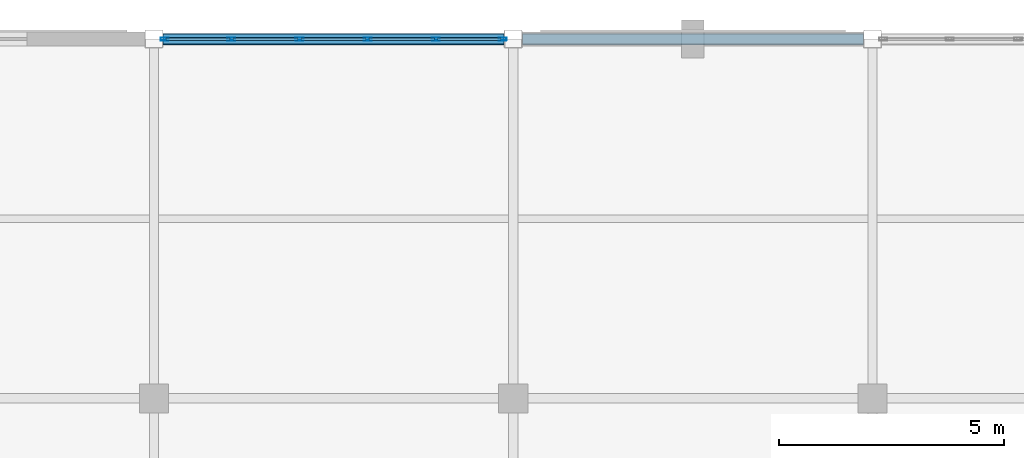
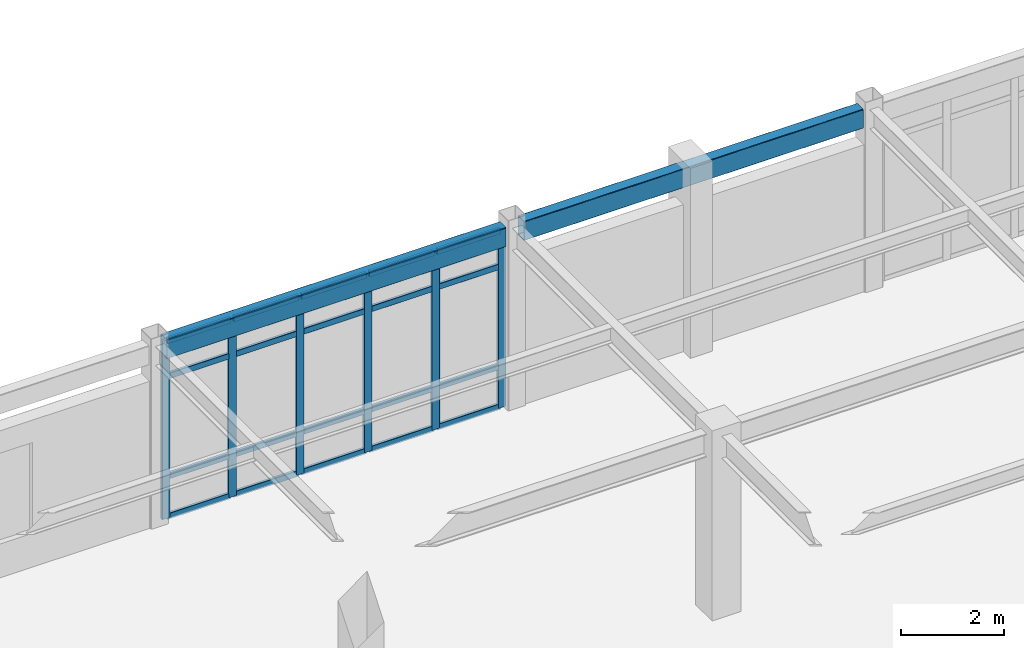
# One storey, part 53 of 111: 26 members, 2 beams, 1 element without a shape of its own.
"""IFC4 building model written with IfcOpenShell, lengths in metres."""

from ifc_helpers import new_model, si_unit, direction, frame, origin, origin_2d, place, context, subcontext, project, spatial, hollow_rectangle, extrude, material, material_profile, profile_set, type_object, element, aggregate, save


model = new_model("IFC4")

# Units and contexts
model_context = context("Model", 3, precision=1e-05, world=origin(), true_north=direction((0.0, 1.0)))
body_context = subcontext(model_context, "Body", "Model", "MODEL_VIEW")
ifc_project = project(units=[si_unit("LENGTHUNIT", "METRE"), si_unit("AREAUNIT", "SQUARE_METRE"), si_unit("VOLUMEUNIT", "CUBIC_METRE"), si_unit("PLANEANGLEUNIT", "RADIAN"), si_unit("MASSUNIT", "GRAM", prefix="KILO")], contexts=[model_context])

# Site, building, storey
site_placement = place(None, origin())
site = spatial("IfcSite", under=ifc_project, at=site_placement, CompositionType="ELEMENT")
building_placement = place(site_placement, origin())
building = spatial("IfcBuilding", under=site, at=building_placement, Name="Solmirada Galleria", CompositionType="ELEMENT")
storey_placement = place(building_placement, frame((0.0, 0.0, 10.39990234375)))
storey = spatial("IfcBuildingStorey", under=building, at=storey_placement, Name="L02", CompositionType="ELEMENT", Elevation=10.39990234375)

# Beams
ifc_material_1 = material(Name="Steel S355 / ASTM A500 Grade C", Category="steel")
ifc_material_profile_1 = material_profile(ifc_material_1, hollow_rectangle(XDim=0.25390625, YDim=0.45703125, WallThickness=0.01171875, InnerFilletRadius=0.01171875, OuterFilletRadius=0.023681640625, at=origin_2d()), Name="HSS18X10X1/2")
ifc_profile_set_1 = profile_set([ifc_material_profile_1], Name="Steel S355 / ASTM A500 Grade C")
beam_type = type_object("IfcBeamType", Name="BM-SPAND-W18", PredefinedType="SPANDREL", material=ifc_profile_set_1)
for number, where, z_axis, x_axis, name in (
    (1, (88.202880859375, 120.0, 4.071533203125), (1.0, 0.0, 0.0), (0.0, 1.0, 0.0), "Primary beam L03 X(88..96, 120)"),
    (2, (96.202880859375, 120.0, 4.071533203125), (1.0, 0.0, 0.0), (0.0, 1.0, 0.0), "Primary beam L03 X(96..104, 120)"),
):
    element("IfcBeam", number, at=place(storey_placement, frame(where, z_axis=z_axis, x_axis=x_axis)), inside=storey, type_object=beam_type, Name=name, PredefinedType="SPANDREL", context=body_context, shape_type="SweptSolid", body=[
        extrude(hollow_rectangle(XDim=0.25390625, YDim=0.45703125, WallThickness=0.01171875, InnerFilletRadius=0.01171875, OuterFilletRadius=0.023681640625, at=origin_2d()), origin(), (0.0, 0.0, 1.0), 7.59423828125),
    ])

# Curtain wall, members
ifc_material_2 = material(Name="Impact-resistant low-E double glazing", Category="glass")
curtain_wall_type = type_object("IfcCurtainWallType", Name="CW-FZ4-L02-B5-L076", PredefinedType="NOTDEFINED", material=ifc_material_2)
curtain_wall_placement = place(storey_placement, origin())
curtain_wall = element("IfcCurtainWall", 3, at=curtain_wall_placement, inside=storey, type_object=curtain_wall_type, Name="Terrace and arcade storefront CW-L02-094", PredefinedType="NOTDEFINED")
ifc_material_3 = material(Name="Anodised aluminium framing", Category="aluminium")
ifc_material_profile_2 = material_profile(ifc_material_3, hollow_rectangle(XDim=0.06494140625, YDim=0.179931640625, WallThickness=0.00390625, InnerFilletRadius=0.00390625, OuterFilletRadius=0.008056640625, at=origin_2d()), Name="ALU-MULL-180X65")
ifc_profile_set_2 = profile_set([ifc_material_profile_2], Name="Anodised aluminium framing")
member_type_1 = type_object("IfcMemberType", Name="CW-MULL-180", PredefinedType="MULLION", material=ifc_profile_set_2)
member_1_placement = place(storey_placement, frame((88.237548828125, 120.0, 0.0), z_axis=(0.0, 0.0, 1.0), x_axis=(0.0, 1.0, 0.0)))
member_1 = element("IfcMember", 4, at=member_1_placement, type_object=member_type_1, Name="CW23 mullion 1", PredefinedType="MULLION", context=body_context, shape_type="SweptSolid", body=[
    extrude(hollow_rectangle(XDim=0.06494140625, YDim=0.179931640625, WallThickness=0.00390625, InnerFilletRadius=0.00390625, OuterFilletRadius=0.008056640625, at=origin_2d()), origin(), (0.0, 0.0, 1.0), 4.22021484375),
])
member_2_placement = place(storey_placement, frame((89.722900390625, 120.0, 0.0), z_axis=(0.0, 0.0, 1.0), x_axis=(0.0, 1.0, 0.0)))
member_2 = element("IfcMember", 5, at=member_2_placement, type_object=member_type_1, Name="CW23 mullion 2", PredefinedType="MULLION", context=body_context, shape_type="SweptSolid", body=[
    extrude(hollow_rectangle(XDim=0.06494140625, YDim=0.179931640625, WallThickness=0.00390625, InnerFilletRadius=0.00390625, OuterFilletRadius=0.008056640625, at=origin_2d()), origin(), (0.0, 0.0, 1.0), 4.22021484375),
])
member_3_placement = place(storey_placement, frame((91.240966796875, 120.0, 0.0), z_axis=(0.0, 0.0, 1.0), x_axis=(0.0, 1.0, 0.0)))
member_3 = element("IfcMember", 6, at=member_3_placement, type_object=member_type_1, Name="CW23 mullion 3", PredefinedType="MULLION", context=body_context, shape_type="SweptSolid", body=[
    extrude(hollow_rectangle(XDim=0.06494140625, YDim=0.179931640625, WallThickness=0.00390625, InnerFilletRadius=0.00390625, OuterFilletRadius=0.008056640625, at=origin_2d()), origin(), (0.0, 0.0, 1.0), 4.22021484375),
])
member_4_placement = place(storey_placement, frame((92.759033203125, 120.0, 0.0), z_axis=(0.0, 0.0, 1.0), x_axis=(0.0, 1.0, 0.0)))
member_4 = element("IfcMember", 7, at=member_4_placement, type_object=member_type_1, Name="CW23 mullion 4", PredefinedType="MULLION", context=body_context, shape_type="SweptSolid", body=[
    extrude(hollow_rectangle(XDim=0.06494140625, YDim=0.179931640625, WallThickness=0.00390625, InnerFilletRadius=0.00390625, OuterFilletRadius=0.008056640625, at=origin_2d()), origin(), (0.0, 0.0, 1.0), 4.22021484375),
])
member_5_placement = place(storey_placement, frame((94.277099609375, 120.0, 0.0), z_axis=(0.0, 0.0, 1.0), x_axis=(0.0, 1.0, 0.0)))
member_5 = element("IfcMember", 8, at=member_5_placement, type_object=member_type_1, Name="CW23 mullion 5", PredefinedType="MULLION", context=body_context, shape_type="SweptSolid", body=[
    extrude(hollow_rectangle(XDim=0.06494140625, YDim=0.179931640625, WallThickness=0.00390625, InnerFilletRadius=0.00390625, OuterFilletRadius=0.008056640625, at=origin_2d()), origin(), (0.0, 0.0, 1.0), 4.22021484375),
])
member_6_placement = place(storey_placement, frame((95.762451171875, 120.0, 0.0), z_axis=(0.0, 0.0, 1.0), x_axis=(0.0, 1.0, 0.0)))
member_6 = element("IfcMember", 9, at=member_6_placement, type_object=member_type_1, Name="CW23 mullion 6", PredefinedType="MULLION", context=body_context, shape_type="SweptSolid", body=[
    extrude(hollow_rectangle(XDim=0.06494140625, YDim=0.179931640625, WallThickness=0.00390625, InnerFilletRadius=0.00390625, OuterFilletRadius=0.008056640625, at=origin_2d()), origin(), (0.0, 0.0, 1.0), 4.22021484375),
])
ifc_material_profile_3 = material_profile(ifc_material_3, hollow_rectangle(XDim=0.06494140625, YDim=0.139892578125, WallThickness=0.00341796875, InnerFilletRadius=0.00341796875, OuterFilletRadius=0.007080078125, at=origin_2d()), Name="ALU-TRAN-140X65")
ifc_profile_set_3 = profile_set([ifc_material_profile_3], Name="Anodised aluminium framing")
member_type_2 = type_object("IfcMemberType", Name="CW-TRAN-140", PredefinedType="USERDEFINED", material=ifc_profile_set_3)
member_7_placement = place(storey_placement, frame((88.27001953125, 120.0, 0.03271484375), z_axis=(1.0, 0.0, 0.0), x_axis=(0.0, 1.0, 0.0)))
member_7 = element("IfcMember", 10, at=member_7_placement, type_object=member_type_2, Name="CW23 transom 1.1", ObjectType="TRANSOM", PredefinedType="USERDEFINED", context=body_context, shape_type="SweptSolid", body=[
    extrude(hollow_rectangle(XDim=0.06494140625, YDim=0.139892578125, WallThickness=0.00341796875, InnerFilletRadius=0.00341796875, OuterFilletRadius=0.007080078125, at=origin_2d()), origin(), (0.0, 0.0, 1.0), 1.42041015625),
])
member_8_placement = place(storey_placement, frame((88.27001953125, 120.0, 0.97998046875), z_axis=(1.0, 0.0, 0.0), x_axis=(0.0, 1.0, 0.0)))
member_8 = element("IfcMember", 11, at=member_8_placement, type_object=member_type_2, Name="CW23 transom 1.2", ObjectType="TRANSOM", PredefinedType="USERDEFINED", context=body_context, shape_type="SweptSolid", body=[
    extrude(hollow_rectangle(XDim=0.06494140625, YDim=0.139892578125, WallThickness=0.00341796875, InnerFilletRadius=0.00341796875, OuterFilletRadius=0.007080078125, at=origin_2d()), origin(), (0.0, 0.0, 1.0), 1.42041015625),
])
member_9_placement = place(storey_placement, frame((88.27001953125, 120.0, 3.35009765625), z_axis=(1.0, 0.0, 0.0), x_axis=(0.0, 1.0, 0.0)))
member_9 = element("IfcMember", 12, at=member_9_placement, type_object=member_type_2, Name="CW23 transom 1.3", ObjectType="TRANSOM", PredefinedType="USERDEFINED", context=body_context, shape_type="SweptSolid", body=[
    extrude(hollow_rectangle(XDim=0.06494140625, YDim=0.139892578125, WallThickness=0.00341796875, InnerFilletRadius=0.00341796875, OuterFilletRadius=0.007080078125, at=origin_2d()), origin(), (0.0, 0.0, 1.0), 1.42041015625),
])
member_10_placement = place(storey_placement, frame((88.27001953125, 120.0, 4.1875), z_axis=(1.0, 0.0, 0.0), x_axis=(0.0, 1.0, 0.0)))
member_10 = element("IfcMember", 13, at=member_10_placement, type_object=member_type_2, Name="CW23 transom 1.4", ObjectType="TRANSOM", PredefinedType="USERDEFINED", context=body_context, shape_type="SweptSolid", body=[
    extrude(hollow_rectangle(XDim=0.06494140625, YDim=0.139892578125, WallThickness=0.00341796875, InnerFilletRadius=0.00341796875, OuterFilletRadius=0.007080078125, at=origin_2d()), origin(), (0.0, 0.0, 1.0), 1.42041015625),
])
member_11_placement = place(storey_placement, frame((89.755615234375, 120.0, 0.03271484375), z_axis=(1.0, 0.0, 0.0), x_axis=(0.0, 1.0, 0.0)))
member_11 = element("IfcMember", 14, at=member_11_placement, type_object=member_type_2, Name="CW23 transom 2.1", ObjectType="TRANSOM", PredefinedType="USERDEFINED", context=body_context, shape_type="SweptSolid", body=[
    extrude(hollow_rectangle(XDim=0.06494140625, YDim=0.139892578125, WallThickness=0.00341796875, InnerFilletRadius=0.00341796875, OuterFilletRadius=0.007080078125, at=origin_2d()), origin(), (0.0, 0.0, 1.0), 1.452880859375),
])
member_12_placement = place(storey_placement, frame((89.755615234375, 120.0, 0.97998046875), z_axis=(1.0, 0.0, 0.0), x_axis=(0.0, 1.0, 0.0)))
member_12 = element("IfcMember", 15, at=member_12_placement, type_object=member_type_2, Name="CW23 transom 2.2", ObjectType="TRANSOM", PredefinedType="USERDEFINED", context=body_context, shape_type="SweptSolid", body=[
    extrude(hollow_rectangle(XDim=0.06494140625, YDim=0.139892578125, WallThickness=0.00341796875, InnerFilletRadius=0.00341796875, OuterFilletRadius=0.007080078125, at=origin_2d()), origin(), (0.0, 0.0, 1.0), 1.452880859375),
])
member_13_placement = place(storey_placement, frame((89.755615234375, 120.0, 3.35009765625), z_axis=(1.0, 0.0, 0.0), x_axis=(0.0, 1.0, 0.0)))
member_13 = element("IfcMember", 16, at=member_13_placement, type_object=member_type_2, Name="CW23 transom 2.3", ObjectType="TRANSOM", PredefinedType="USERDEFINED", context=body_context, shape_type="SweptSolid", body=[
    extrude(hollow_rectangle(XDim=0.06494140625, YDim=0.139892578125, WallThickness=0.00341796875, InnerFilletRadius=0.00341796875, OuterFilletRadius=0.007080078125, at=origin_2d()), origin(), (0.0, 0.0, 1.0), 1.452880859375),
])
member_14_placement = place(storey_placement, frame((89.755615234375, 120.0, 4.1875), z_axis=(1.0, 0.0, 0.0), x_axis=(0.0, 1.0, 0.0)))
member_14 = element("IfcMember", 17, at=member_14_placement, type_object=member_type_2, Name="CW23 transom 2.4", ObjectType="TRANSOM", PredefinedType="USERDEFINED", context=body_context, shape_type="SweptSolid", body=[
    extrude(hollow_rectangle(XDim=0.06494140625, YDim=0.139892578125, WallThickness=0.00341796875, InnerFilletRadius=0.00341796875, OuterFilletRadius=0.007080078125, at=origin_2d()), origin(), (0.0, 0.0, 1.0), 1.452880859375),
])
member_15_placement = place(storey_placement, frame((91.2734375, 120.0, 0.03271484375), z_axis=(1.0, 0.0, 0.0), x_axis=(0.0, 1.0, 0.0)))
member_15 = element("IfcMember", 18, at=member_15_placement, type_object=member_type_2, Name="CW23 transom 3.1", ObjectType="TRANSOM", PredefinedType="USERDEFINED", context=body_context, shape_type="SweptSolid", body=[
    extrude(hollow_rectangle(XDim=0.06494140625, YDim=0.139892578125, WallThickness=0.00341796875, InnerFilletRadius=0.00341796875, OuterFilletRadius=0.007080078125, at=origin_2d()), origin(), (0.0, 0.0, 1.0), 1.453125),
])
member_16_placement = place(storey_placement, frame((91.2734375, 120.0, 0.97998046875), z_axis=(1.0, 0.0, 0.0), x_axis=(0.0, 1.0, 0.0)))
member_16 = element("IfcMember", 19, at=member_16_placement, type_object=member_type_2, Name="CW23 transom 3.2", ObjectType="TRANSOM", PredefinedType="USERDEFINED", context=body_context, shape_type="SweptSolid", body=[
    extrude(hollow_rectangle(XDim=0.06494140625, YDim=0.139892578125, WallThickness=0.00341796875, InnerFilletRadius=0.00341796875, OuterFilletRadius=0.007080078125, at=origin_2d()), origin(), (0.0, 0.0, 1.0), 1.453125),
])
member_17_placement = place(storey_placement, frame((91.2734375, 120.0, 3.35009765625), z_axis=(1.0, 0.0, 0.0), x_axis=(0.0, 1.0, 0.0)))
member_17 = element("IfcMember", 20, at=member_17_placement, type_object=member_type_2, Name="CW23 transom 3.3", ObjectType="TRANSOM", PredefinedType="USERDEFINED", context=body_context, shape_type="SweptSolid", body=[
    extrude(hollow_rectangle(XDim=0.06494140625, YDim=0.139892578125, WallThickness=0.00341796875, InnerFilletRadius=0.00341796875, OuterFilletRadius=0.007080078125, at=origin_2d()), origin(), (0.0, 0.0, 1.0), 1.453125),
])
member_18_placement = place(storey_placement, frame((91.2734375, 120.0, 4.1875), z_axis=(1.0, 0.0, 0.0), x_axis=(0.0, 1.0, 0.0)))
member_18 = element("IfcMember", 21, at=member_18_placement, type_object=member_type_2, Name="CW23 transom 3.4", ObjectType="TRANSOM", PredefinedType="USERDEFINED", context=body_context, shape_type="SweptSolid", body=[
    extrude(hollow_rectangle(XDim=0.06494140625, YDim=0.139892578125, WallThickness=0.00341796875, InnerFilletRadius=0.00341796875, OuterFilletRadius=0.007080078125, at=origin_2d()), origin(), (0.0, 0.0, 1.0), 1.453125),
])
member_19_placement = place(storey_placement, frame((92.79150390625, 120.0, 0.03271484375), z_axis=(1.0, 0.0, 0.0), x_axis=(0.0, 1.0, 0.0)))
member_19 = element("IfcMember", 22, at=member_19_placement, type_object=member_type_2, Name="CW23 transom 4.1", ObjectType="TRANSOM", PredefinedType="USERDEFINED", context=body_context, shape_type="SweptSolid", body=[
    extrude(hollow_rectangle(XDim=0.06494140625, YDim=0.139892578125, WallThickness=0.00341796875, InnerFilletRadius=0.00341796875, OuterFilletRadius=0.007080078125, at=origin_2d()), origin(), (0.0, 0.0, 1.0), 1.452880859375),
])
member_20_placement = place(storey_placement, frame((92.79150390625, 120.0, 0.97998046875), z_axis=(1.0, 0.0, 0.0), x_axis=(0.0, 1.0, 0.0)))
member_20 = element("IfcMember", 23, at=member_20_placement, type_object=member_type_2, Name="CW23 transom 4.2", ObjectType="TRANSOM", PredefinedType="USERDEFINED", context=body_context, shape_type="SweptSolid", body=[
    extrude(hollow_rectangle(XDim=0.06494140625, YDim=0.139892578125, WallThickness=0.00341796875, InnerFilletRadius=0.00341796875, OuterFilletRadius=0.007080078125, at=origin_2d()), origin(), (0.0, 0.0, 1.0), 1.452880859375),
])
member_21_placement = place(storey_placement, frame((92.79150390625, 120.0, 3.35009765625), z_axis=(1.0, 0.0, 0.0), x_axis=(0.0, 1.0, 0.0)))
member_21 = element("IfcMember", 24, at=member_21_placement, type_object=member_type_2, Name="CW23 transom 4.3", ObjectType="TRANSOM", PredefinedType="USERDEFINED", context=body_context, shape_type="SweptSolid", body=[
    extrude(hollow_rectangle(XDim=0.06494140625, YDim=0.139892578125, WallThickness=0.00341796875, InnerFilletRadius=0.00341796875, OuterFilletRadius=0.007080078125, at=origin_2d()), origin(), (0.0, 0.0, 1.0), 1.452880859375),
])
member_22_placement = place(storey_placement, frame((92.79150390625, 120.0, 4.1875), z_axis=(1.0, 0.0, 0.0), x_axis=(0.0, 1.0, 0.0)))
member_22 = element("IfcMember", 25, at=member_22_placement, type_object=member_type_2, Name="CW23 transom 4.4", ObjectType="TRANSOM", PredefinedType="USERDEFINED", context=body_context, shape_type="SweptSolid", body=[
    extrude(hollow_rectangle(XDim=0.06494140625, YDim=0.139892578125, WallThickness=0.00341796875, InnerFilletRadius=0.00341796875, OuterFilletRadius=0.007080078125, at=origin_2d()), origin(), (0.0, 0.0, 1.0), 1.452880859375),
])
member_23_placement = place(storey_placement, frame((94.3095703125, 120.0, 0.03271484375), z_axis=(1.0, 0.0, 0.0), x_axis=(0.0, 1.0, 0.0)))
member_23 = element("IfcMember", 26, at=member_23_placement, type_object=member_type_2, Name="CW23 transom 5.1", ObjectType="TRANSOM", PredefinedType="USERDEFINED", context=body_context, shape_type="SweptSolid", body=[
    extrude(hollow_rectangle(XDim=0.06494140625, YDim=0.139892578125, WallThickness=0.00341796875, InnerFilletRadius=0.00341796875, OuterFilletRadius=0.007080078125, at=origin_2d()), origin(), (0.0, 0.0, 1.0), 1.42041015625),
])
member_24_placement = place(storey_placement, frame((94.3095703125, 120.0, 0.97998046875), z_axis=(1.0, 0.0, 0.0), x_axis=(0.0, 1.0, 0.0)))
member_24 = element("IfcMember", 27, at=member_24_placement, type_object=member_type_2, Name="CW23 transom 5.2", ObjectType="TRANSOM", PredefinedType="USERDEFINED", context=body_context, shape_type="SweptSolid", body=[
    extrude(hollow_rectangle(XDim=0.06494140625, YDim=0.139892578125, WallThickness=0.00341796875, InnerFilletRadius=0.00341796875, OuterFilletRadius=0.007080078125, at=origin_2d()), origin(), (0.0, 0.0, 1.0), 1.42041015625),
])
member_25_placement = place(storey_placement, frame((94.3095703125, 120.0, 3.35009765625), z_axis=(1.0, 0.0, 0.0), x_axis=(0.0, 1.0, 0.0)))
member_25 = element("IfcMember", 28, at=member_25_placement, type_object=member_type_2, Name="CW23 transom 5.3", ObjectType="TRANSOM", PredefinedType="USERDEFINED", context=body_context, shape_type="SweptSolid", body=[
    extrude(hollow_rectangle(XDim=0.06494140625, YDim=0.139892578125, WallThickness=0.00341796875, InnerFilletRadius=0.00341796875, OuterFilletRadius=0.007080078125, at=origin_2d()), origin(), (0.0, 0.0, 1.0), 1.42041015625),
])
member_26_placement = place(storey_placement, frame((94.3095703125, 120.0, 4.1875), z_axis=(1.0, 0.0, 0.0), x_axis=(0.0, 1.0, 0.0)))
member_26 = element("IfcMember", 29, at=member_26_placement, type_object=member_type_2, Name="CW23 transom 5.4", ObjectType="TRANSOM", PredefinedType="USERDEFINED", context=body_context, shape_type="SweptSolid", body=[
    extrude(hollow_rectangle(XDim=0.06494140625, YDim=0.139892578125, WallThickness=0.00341796875, InnerFilletRadius=0.00341796875, OuterFilletRadius=0.007080078125, at=origin_2d()), origin(), (0.0, 0.0, 1.0), 1.42041015625),
])
aggregate(curtain_wall, [member_1, member_2, member_3, member_4, member_5, member_6, member_7, member_8, member_9, member_10, member_11, member_12, member_13, member_14, member_15, member_16, member_17, member_18, member_19, member_20, member_21, member_22, member_23, member_24, member_25, member_26])

save(model, "model.ifc")
